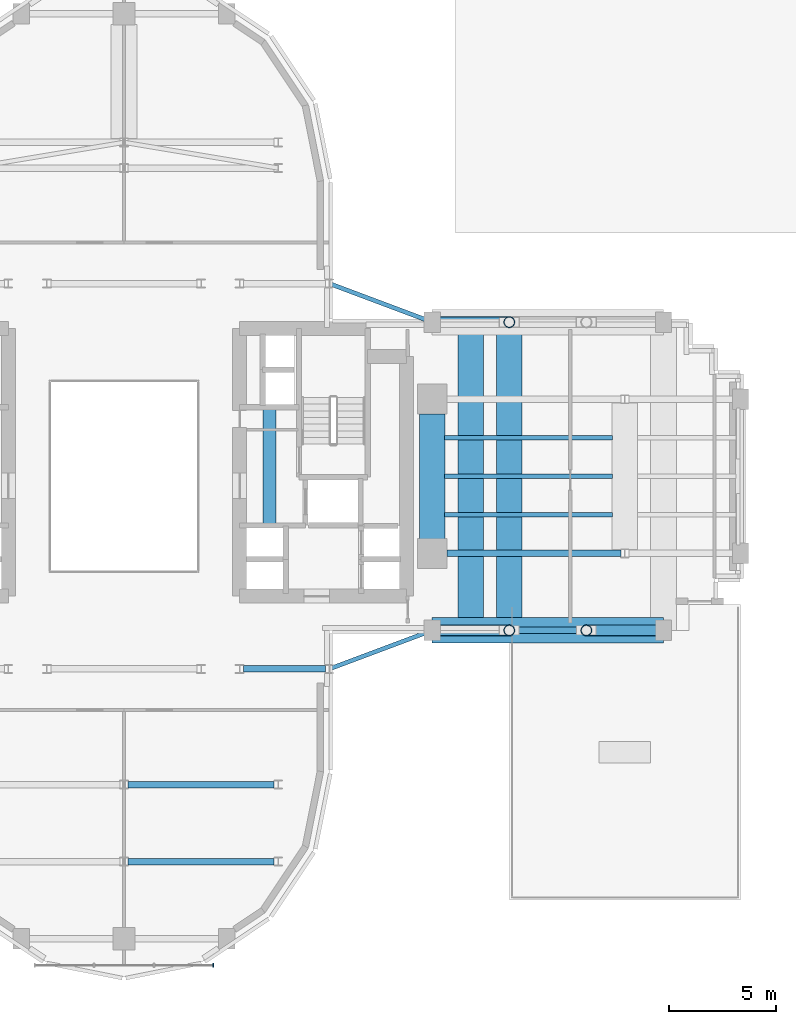
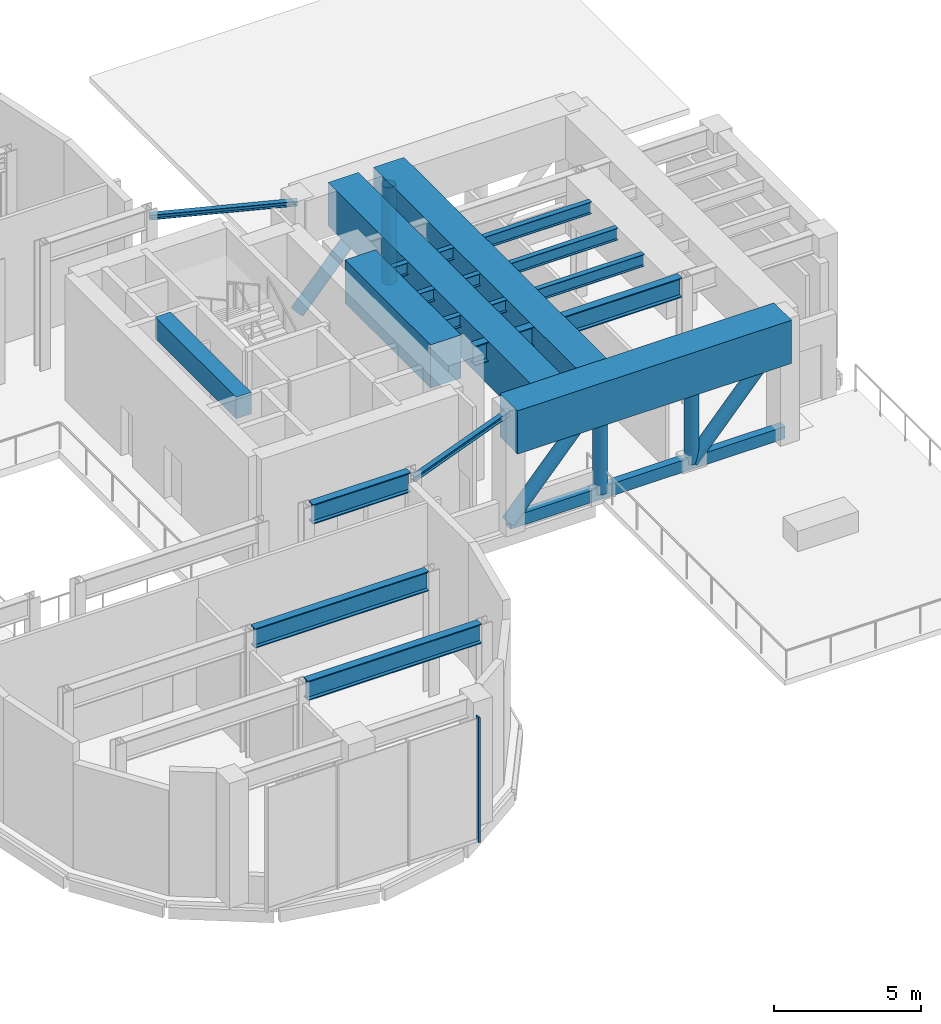
# One storey, part 5 of 16: 12 beams, 10 members, 1 element without a shape of its own.
"""IFC4 building model written with IfcOpenShell, lengths in metres."""

from ifc_helpers import new_model, si_unit, direction, frame, origin, origin_2d, place, context, subcontext, project, spatial, rectangle, hollow_rectangle, hollow_circle, i_section, extrude, source, transform, mapped, material, material_profile, profile_set, type_object, element, aggregate, save


model = new_model("IFC4")

# Units and contexts
model_context = context("Model", 3, precision=1e-05, world=origin(), true_north=direction((0.0, 1.0)))
body_context = subcontext(model_context, "Body", "Model", "MODEL_VIEW")
ifc_project = project(units=[si_unit("LENGTHUNIT", "METRE"), si_unit("AREAUNIT", "SQUARE_METRE"), si_unit("VOLUMEUNIT", "CUBIC_METRE"), si_unit("PLANEANGLEUNIT", "RADIAN"), si_unit("MASSUNIT", "GRAM", prefix="KILO")], contexts=[model_context])

# Site, building, storey
site_placement = place(None, origin())
site = spatial("IfcSite", under=ifc_project, at=site_placement, CompositionType="ELEMENT")
building_placement = place(site_placement, origin())
building = spatial("IfcBuilding", under=site, at=building_placement, Name="Keilestroom Media Tower", CompositionType="ELEMENT")
storey_placement = place(building_placement, frame((0.0, 0.0, 25.199951171875)))
storey = spatial("IfcBuildingStorey", under=building, at=storey_placement, Name="L05", CompositionType="ELEMENT", Elevation=25.199951171875)

# Beams
ifc_material_1 = material(Name="Concrete C60/75", Category="concrete")
ifc_material_profile_1 = material_profile(ifc_material_1, rectangle(XDim=1.199951171875, YDim=1.800048828125, at=origin_2d()), Name="RC 1200x1800")
ifc_profile_set_1 = profile_set([ifc_material_profile_1], Name="Concrete C60/75")
beam_type_1 = type_object("IfcBeamType", Name="Primary-Structural-Girder-RC-1200x1800", PredefinedType="BEAM", material=ifc_profile_set_1)
shared_shape_1 = source(origin(), body_context, "Body", "SweptSolid", [
    extrude(rectangle(XDim=1.199951171875, YDim=1.800048828125, at=origin_2d()), origin(), (0.0, 0.0, 1.0), 10.800048828125),
])
beam_1_placement = place(storey_placement, frame((14.39990234375, -7.199951171875, 4.300048828125), z_axis=(1.0, 0.0, 0.0), x_axis=(0.0, 1.0, 0.0)))
element("IfcBeam", 1, at=beam_1_placement, inside=storey, type_object=beam_type_1, Name="L05 Beam TG-1 BM-L05-TG1-03", PredefinedType="BEAM", context=body_context, shape_type="MappedRepresentation", body=[
    mapped(shared_shape_1, transform((0.0, 0.0, 0.0), x_axis=(1.0, 0.0, 0.0), y_axis=(0.0, 1.0, 0.0), z_axis=(0.0, 0.0, 1.0), scale=1.0)),
])
shared_shape_2 = source(origin(), body_context, "Body", "SweptSolid", [
    extrude(rectangle(XDim=1.199951171875, YDim=1.800048828125, at=origin_2d()), origin(), (0.0, 0.0, 1.0), 14.39990234375),
])
for number, where, z_axis, x_axis, name in (
    (2, (18.0, -7.199951171875, 4.300048828125), (0.0, 1.0, 0.0), (-1.0, 0.0, 0.0), "L05 Beam TG-1 BM-L05-TG1-08"),
    (3, (16.199951171875, -7.199951171875, 4.300048828125), (0.0, 1.0, 0.0), (-1.0, 0.0, 0.0), "L05 Beam TG-1 BM-L05-TG1-10"),
):
    element("IfcBeam", number, at=place(storey_placement, frame(where, z_axis=z_axis, x_axis=x_axis)), inside=storey, type_object=beam_type_1, Name=name, PredefinedType="BEAM", context=body_context, shape_type="MappedRepresentation", body=[
        mapped(shared_shape_2, transform((0.0, 0.0, 0.0), x_axis=(1.0, 0.0, 0.0), y_axis=(0.0, 1.0, 0.0), z_axis=(0.0, 0.0, 1.0), scale=1.0)),
    ])
ifc_material_2 = material(Name="Concrete C70/85", Category="concrete")
ifc_material_profile_2 = material_profile(ifc_material_2, rectangle(XDim=0.60009765625, YDim=0.89990234375, at=origin_2d()), Name="RC 600x900")
ifc_profile_set_2 = profile_set([ifc_material_profile_2], Name="Concrete C70/85")
beam_type_2 = type_object("IfcBeamType", Name="Core-Coupling-Lintel-Beam-RC-600x900", PredefinedType="LINTEL", material=ifc_profile_set_2)
shared_shape_3 = source(origin(), body_context, "Body", "SweptSolid", [
    extrude(rectangle(XDim=0.60009765625, YDim=0.89990234375, at=origin_2d()), origin(), (0.0, 0.0, 1.0), 5.52001953125),
])
beam_2_placement = place(storey_placement, frame((6.800048828125, -2.300048828125, 4.75), z_axis=(0.0, 1.0, 0.0), x_axis=(-1.0, 0.0, 0.0)))
element("IfcBeam", 4, at=beam_2_placement, inside=storey, type_object=beam_type_2, Name="L05 Beam CLB-1 CLB-L05-E", PredefinedType="LINTEL", context=body_context, shape_type="MappedRepresentation", body=[
    mapped(shared_shape_3, transform((0.0, 0.0, 0.0), x_axis=(1.0, 0.0, 0.0), y_axis=(0.0, 1.0, 0.0), z_axis=(0.0, 0.0, 1.0), scale=1.0)),
])
shared_shape_4 = source(origin(), body_context, "Body", "SweptSolid", [
    extrude(rectangle(XDim=1.199951171875, YDim=1.800048828125, at=origin_2d()), origin(), (0.0, 0.0, 1.0), 5.83984375),
])
beam_3_placement = place(storey_placement, frame((14.39990234375, -2.919921875, 4.300048828125), z_axis=(0.0, 1.0, 0.0), x_axis=(-1.0, 0.0, 0.0)))
element("IfcBeam", 5, at=beam_3_placement, inside=storey, type_object=beam_type_1, Name="L05 Beam TG-1 BM-L05-NS-051", PredefinedType="BEAM", context=body_context, shape_type="MappedRepresentation", body=[
    mapped(shared_shape_4, transform((0.0, 0.0, 0.0), x_axis=(1.0, 0.0, 0.0), y_axis=(0.0, 1.0, 0.0), z_axis=(0.0, 0.0, 1.0), scale=1.0)),
])
ifc_material_3 = material(Name="Steel S355", Category="steel")
ifc_material_profile_3 = material_profile(ifc_material_3, i_section(OverallWidth=0.199951171875, OverallDepth=0.5, WebThickness=0.01025390625, FlangeThickness=0.01611328125, at=origin_2d()), Name="IPE 500")
ifc_profile_set_3 = profile_set([ifc_material_profile_3], Name="Steel S355")
beam_type_3 = type_object("IfcBeamType", Name="Secondary-Floor-Joist-IPE-500", PredefinedType="JOIST", material=ifc_profile_set_3)
shared_shape_5 = source(origin(), body_context, "Body", "SweptSolid", [
    extrude(i_section(OverallWidth=0.199951171875, OverallDepth=0.5, WebThickness=0.01025390625, FlangeThickness=0.01611328125, at=origin_2d()), origin(), (0.0, 0.0, 1.0), 7.840087890625),
])
for number, where, z_axis, x_axis, name in (
    (6, (14.97998046875, -1.800048828125, 4.949951171875), (1.0, 0.0, 0.0), (0.0, 1.0, 0.0), "L05 Beam BJ-2 JST-L05-057"),
    (7, (14.97998046875, 0.0, 4.949951171875), (1.0, 0.0, 0.0), (0.0, 1.0, 0.0), "L05 Beam BJ-2 JST-L05-061"),
    (8, (14.97998046875, 1.800048828125, 4.949951171875), (1.0, 0.0, 0.0), (0.0, 1.0, 0.0), "L05 Beam BJ-2 JST-L05-065"),
):
    element("IfcBeam", number, at=place(storey_placement, frame(where, z_axis=z_axis, x_axis=x_axis)), inside=storey, type_object=beam_type_3, Name=name, PredefinedType="JOIST", context=body_context, shape_type="MappedRepresentation", body=[
        mapped(shared_shape_5, transform((0.0, 0.0, 0.0), x_axis=(1.0, 0.0, 0.0), y_axis=(0.0, 1.0, 0.0), z_axis=(0.0, 0.0, 1.0), scale=1.0)),
    ])
ifc_material_4 = material(Name="Steel S460", Category="steel")
ifc_material_profile_4 = material_profile(ifc_material_4, i_section(OverallWidth=0.302978515625, OverallDepth=0.81396484375, WebThickness=0.02099609375, FlangeThickness=0.0400390625, at=origin_2d()), Name="HEM 800")
ifc_profile_set_4 = profile_set([ifc_material_profile_4], Name="Steel S460")
beam_type_4 = type_object("IfcBeamType", Name="Primary-Structural-Girder-HEM-800", PredefinedType="BEAM", material=ifc_profile_set_4)
shared_shape_6 = source(origin(), body_context, "Body", "SweptSolid", [
    extrude(i_section(OverallWidth=0.302978515625, OverallDepth=0.81396484375, WebThickness=0.02099609375, FlangeThickness=0.0400390625, at=origin_2d()), origin(), (0.0, 0.0, 1.0), 6.833984375),
])
for number, where, z_axis, x_axis, name in (
    (9, (0.18310546875, -18.0, 4.79296875), (1.0, 0.0, 0.0), (0.0, 1.0, 0.0), "L05 Beam BG-1 BM-L05-EW-004"),
    (10, (0.18310546875, -14.39990234375, 4.79296875), (1.0, 0.0, 0.0), (0.0, 1.0, 0.0), "L05 Beam BG-1 BM-L05-EW-006"),
):
    element("IfcBeam", number, at=place(storey_placement, frame(where, z_axis=z_axis, x_axis=x_axis)), inside=storey, type_object=beam_type_4, Name=name, PredefinedType="BEAM", context=body_context, shape_type="MappedRepresentation", body=[
        mapped(shared_shape_6, transform((0.0, 0.0, 0.0), x_axis=(1.0, 0.0, 0.0), y_axis=(0.0, 1.0, 0.0), z_axis=(0.0, 0.0, 1.0), scale=1.0)),
    ])
shared_shape_7 = source(origin(), body_context, "Body", "SweptSolid", [
    extrude(i_section(OverallWidth=0.302978515625, OverallDepth=0.81396484375, WebThickness=0.02099609375, FlangeThickness=0.0400390625, at=origin_2d()), origin(), (0.0, 0.0, 1.0), 3.833984375),
])
beam_4_placement = place(storey_placement, frame((5.5830078125, -9.0, 4.79296875), z_axis=(1.0, 0.0, 0.0), x_axis=(0.0, 1.0, 0.0)))
element("IfcBeam", 11, at=beam_4_placement, inside=storey, type_object=beam_type_4, Name="L05 Beam BG-1 BM-L05-EW-011", PredefinedType="BEAM", context=body_context, shape_type="MappedRepresentation", body=[
    mapped(shared_shape_7, transform((0.0, 0.0, 0.0), x_axis=(1.0, 0.0, 0.0), y_axis=(0.0, 1.0, 0.0), z_axis=(0.0, 0.0, 1.0), scale=1.0)),
])
shared_shape_8 = source(origin(), body_context, "Body", "SweptSolid", [
    extrude(i_section(OverallWidth=0.302978515625, OverallDepth=0.81396484375, WebThickness=0.02099609375, FlangeThickness=0.0400390625, at=origin_2d()), origin(), (0.0, 0.0, 1.0), 8.136962890625),
])
beam_5_placement = place(storey_placement, frame((15.080078125, -3.60009765625, 4.79296875), z_axis=(1.0, 0.0, 0.0), x_axis=(0.0, 1.0, 0.0)))
element("IfcBeam", 12, at=beam_5_placement, inside=storey, type_object=beam_type_4, Name="L05 Beam BG-1 BM-L05-EW-014", PredefinedType="BEAM", context=body_context, shape_type="MappedRepresentation", body=[
    mapped(shared_shape_8, transform((0.0, 0.0, 0.0), x_axis=(1.0, 0.0, 0.0), y_axis=(0.0, 1.0, 0.0), z_axis=(0.0, 0.0, 1.0), scale=1.0)),
])

# Members
ifc_material_profile_5 = material_profile(ifc_material_4, hollow_rectangle(XDim=0.300048828125, YDim=0.5, WallThickness=0.02001953125, at=origin_2d()), Name="RHS 500x300x20")
ifc_profile_set_5 = profile_set([ifc_material_profile_5], Name="Steel S460")
member_type_1 = type_object("IfcMemberType", Name="Transfer-And-Belt-Truss-Chord-RHS-500x300x20", PredefinedType="CHORD", material=ifc_profile_set_5)
shared_shape_9 = source(origin(), body_context, "Body", "SweptSolid", [
    extrude(hollow_rectangle(XDim=0.300048828125, YDim=0.5, WallThickness=0.02001953125, at=origin_2d()), origin(), (0.0, 0.0, 1.0), 10.800048828125),
])
member_1_placement = place(storey_placement, frame((14.39990234375, -7.199951171875, 0.25), z_axis=(1.0, 0.0, 0.0), x_axis=(0.0, 1.0, 0.0)))
element("IfcMember", 13, at=member_1_placement, inside=storey, type_object=member_type_1, Name="L05 Transfer Truss TT-3 Bottom Chord", PredefinedType="CHORD", context=body_context, shape_type="MappedRepresentation", body=[
    mapped(shared_shape_9, transform((0.0, 0.0, 0.0), x_axis=(1.0, 0.0, 0.0), y_axis=(0.0, 1.0, 0.0), z_axis=(0.0, 0.0, 1.0), scale=1.0)),
])
ifc_material_profile_6 = material_profile(ifc_material_4, hollow_circle(Radius=0.25390625, WallThickness=0.02001953125, at=origin_2d()), Name="CHS 508x20")
ifc_profile_set_6 = profile_set([ifc_material_profile_6], Name="Steel S460")
member_type_2 = type_object("IfcMemberType", Name="Outrigger-And-Belt-Brace-Transfer-CHS-508x20", PredefinedType="BRACE", material=ifc_profile_set_6)
shared_shape_10 = source(origin(), body_context, "Body", "SweptSolid", [
    extrude(hollow_circle(Radius=0.25390625, WallThickness=0.02001953125, at=origin_2d()), origin(), (0.0, 0.0, 1.0), 5.418701171875),
])
for number, where, z_axis, x_axis, name in (
    (14, (14.39990234375, -7.199951171875, 0.25), (0.664369431748, 0.0, 0.747404347163), (0.0, 1.0, 0.0), "L05 Transfer Truss TT-3 Diagonal 1"),
    (15, (21.60009765625, -7.199951171875, 0.25), (0.664344262737, 0.0, 0.747426719196), (0.0, 1.0, 0.0), "L05 Transfer Truss TT-3 Diagonal 3"),
    (16, (14.39990234375, 7.199951171875, 0.25), (0.664369431748, 0.0, 0.747404347163), (0.0, 1.0, 0.0), "L05 Transfer Truss TT-4 Diagonal 1"),
):
    element("IfcMember", number, at=place(storey_placement, frame(where, z_axis=z_axis, x_axis=x_axis)), inside=storey, type_object=member_type_2, Name=name, PredefinedType="BRACE", context=body_context, shape_type="MappedRepresentation", body=[
        mapped(shared_shape_10, transform((0.0, 0.0, 0.0), x_axis=(1.0, 0.0, 0.0), y_axis=(0.0, 1.0, 0.0), z_axis=(0.0, 0.0, 1.0), scale=1.0)),
    ])
ifc_material_profile_7 = material_profile(ifc_material_4, hollow_circle(Radius=0.25390625, WallThickness=0.02001953125, at=origin_2d()), Name="CHS 508x20")
ifc_profile_set_7 = profile_set([ifc_material_profile_7], Name="Steel S460")
member_type_3 = type_object("IfcMemberType", Name="Crown-Strut-And-Mast-Member-Crown-Frame-CHS-508x20", PredefinedType="STRUT", material=ifc_profile_set_7)
shared_shape_11 = source(origin(), body_context, "Body", "SweptSolid", [
    extrude(hollow_circle(Radius=0.25390625, WallThickness=0.02001953125, at=origin_2d()), origin(), (0.0, 0.0, 1.0), 4.050048828125),
])
for number, where, z_axis, x_axis, name in (
    (17, (18.0, -7.199951171875, 0.25), (0.0, 0.0, 1.0), (1.0, 0.0, 0.0), "L05 Transfer Truss TT-3 Web Strut (+18.0,-7.2)"),
    (18, (21.60009765625, -7.199951171875, 0.25), (0.0, 0.0, 1.0), (1.0, 0.0, 0.0), "L05 Transfer Truss TT-3 Web Strut (+21.6,-7.2)"),
    (19, (18.0, 7.199951171875, 0.25), (0.0, 0.0, 1.0), (1.0, 0.0, 0.0), "L05 Transfer Truss TT-4 Web Strut (+18.0,+7.2)"),
):
    element("IfcMember", number, at=place(storey_placement, frame(where, z_axis=z_axis, x_axis=x_axis)), inside=storey, type_object=member_type_3, Name=name, PredefinedType="STRUT", context=body_context, shape_type="MappedRepresentation", body=[
        mapped(shared_shape_11, transform((0.0, 0.0, 0.0), x_axis=(1.0, 0.0, 0.0), y_axis=(0.0, 1.0, 0.0), z_axis=(0.0, 0.0, 1.0), scale=1.0)),
    ])
ifc_material_profile_8 = material_profile(ifc_material_3, i_section(OverallWidth=0.199951171875, OverallDepth=0.199951171875, WebThickness=0.009033203125, FlangeThickness=0.014892578125, at=origin_2d()), Name="HEB 200")
ifc_profile_set_8 = profile_set([ifc_material_profile_8], Name="Steel S355")
member_type_4 = type_object("IfcMemberType", Name="Outrigger-And-Belt-Brace-HEB-200", PredefinedType="BRACE", material=ifc_profile_set_8)
shared_shape_12 = source(origin(), body_context, "Body", "SweptSolid", [
    extrude(i_section(OverallWidth=0.199951171875, OverallDepth=0.199951171875, WebThickness=0.009033203125, FlangeThickness=0.014892578125, at=origin_2d()), origin(), (0.0, 0.0, 1.0), 5.126220703125),
])
for number, where, z_axis, x_axis, name in (
    (20, (9.60009765625, 9.0, 4.800048828125), (0.936321348453, -0.351144318522, 0.0), (0.351144318522, 0.936321348453, 0.0), "L05 Horizontal Diaphragm Brace TBR-2"),
    (21, (9.60009765625, -9.0, 4.800048828125), (0.936321348453, 0.351144318522, 0.0), (-0.351144318522, 0.936321348453, 0.0), "L05 Horizontal Diaphragm Brace TBR-4"),
):
    element("IfcMember", number, at=place(storey_placement, frame(where, z_axis=z_axis, x_axis=x_axis)), inside=storey, type_object=member_type_4, Name=name, PredefinedType="BRACE", context=body_context, shape_type="MappedRepresentation", body=[
        mapped(shared_shape_12, transform((0.0, 0.0, 0.0), x_axis=(1.0, 0.0, 0.0), y_axis=(0.0, 1.0, 0.0), z_axis=(0.0, 0.0, 1.0), scale=1.0)),
    ])

# Curtain wall, member
ifc_material_5 = material(Name="Anodised Aluminium Alloy", Category="aluminium")
curtain_wall_type = type_object("IfcCurtainWallType", Name="Unitised-Curtain-Wall-CW-6", PredefinedType="NOTDEFINED", material=ifc_material_5)
curtain_wall_placement = place(storey_placement, origin())
curtain_wall = element("IfcCurtainWall", 22, at=curtain_wall_placement, inside=storey, type_object=curtain_wall_type, Name="L05 Curtain Wall CW-6 CW-L05-S", PredefinedType="NOTDEFINED")
ifc_material_profile_9 = material_profile(ifc_material_5, rectangle(XDim=0.06494140625, YDim=0.179931640625, at=origin_2d()), Name="ALU MULLION 65x180")
ifc_profile_set_9 = profile_set([ifc_material_profile_9], Name="Anodised Aluminium Alloy")
member_type_5 = type_object("IfcMemberType", Name="Curtain-Wall-Mullion-CW-6", PredefinedType="MULLION", material=ifc_profile_set_9)
shared_shape_13 = source(origin(), body_context, "Body", "SweptSolid", [
    extrude(rectangle(XDim=0.06494140625, YDim=0.179931640625, at=origin_2d()), origin(), (0.0, 0.0, 1.0), 5.199951171875),
])
member_2_placement = place(storey_placement, frame((4.16748046875, -22.85009765625, 0.0), z_axis=(0.0, 0.0, 1.0), x_axis=(1.0, 0.0, 0.0)))
member_2 = element("IfcMember", 23, at=member_2_placement, type_object=member_type_5, Name="CW-6 Mullion 03", PredefinedType="MULLION", context=body_context, shape_type="MappedRepresentation", body=[
    mapped(shared_shape_13, transform((0.0, 0.0, 0.0), x_axis=(1.0, 0.0, 0.0), y_axis=(0.0, 1.0, 0.0), z_axis=(0.0, 0.0, 1.0), scale=1.0)),
])
aggregate(curtain_wall, [member_2])

save(model, "model.ifc")
